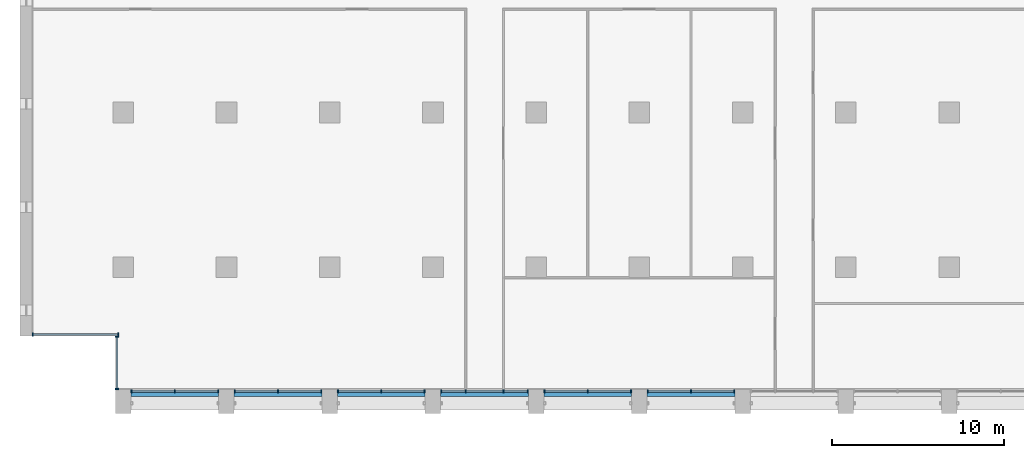
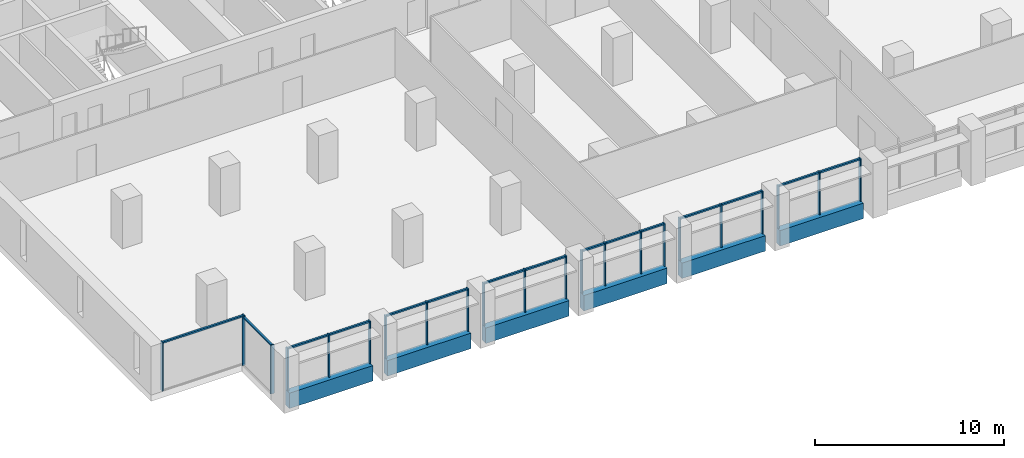
# One storey, part 2 of 15: 38 members, 6 beams, 8 elements without a shape of their own.
"""IFC4 building model written with IfcOpenShell, lengths in metres."""

from ifc_helpers import new_model, si_unit, direction, frame, origin, origin_2d, place, context, subcontext, project, spatial, rectangle, extrude, material, material_profile, profile_set, type_object, element, aggregate, save


model = new_model("IFC4")

# Units and contexts
model_context = context("Model", 3, precision=1e-05, world=origin(), true_north=direction((0.0, 1.0)))
body_context = subcontext(model_context, "Body", "Model", "MODEL_VIEW")
ifc_project = project(units=[si_unit("LENGTHUNIT", "METRE"), si_unit("AREAUNIT", "SQUARE_METRE"), si_unit("VOLUMEUNIT", "CUBIC_METRE"), si_unit("PLANEANGLEUNIT", "RADIAN"), si_unit("MASSUNIT", "GRAM", prefix="KILO")], contexts=[model_context])

# Site, building, storey
site_placement = place(None, origin())
site = spatial("IfcSite", under=ifc_project, at=site_placement, CompositionType="ELEMENT")
building_placement = place(site_placement, origin())
building = spatial("IfcBuilding", under=site, at=building_placement, Name="Calvaro Tower", CompositionType="ELEMENT")
storey_placement = place(building_placement, frame((0.0, 0.0, 155.0)))
storey = spatial("IfcBuildingStorey", under=building, at=storey_placement, Name="L39", CompositionType="ELEMENT", Elevation=155.0)

# Curtain wall, members
ifc_material_1 = material(Name="Anodised aluminium", Category="aluminium")
curtain_wall_type = type_object("IfcCurtainWallType", Name="Office curtain wall, middle zone", PredefinedType="NOTDEFINED", material=ifc_material_1)
curtain_wall_1_placement = place(storey_placement, origin())
curtain_wall_1 = element("IfcCurtainWall", 1, at=curtain_wall_1_placement, inside=storey, type_object=curtain_wall_type, Name="CW2 south curtain wall", PredefinedType="NOTDEFINED")
ifc_material_2 = material(Name="Anodised aluminium", Category="aluminium")
ifc_material_profile_1 = material_profile(ifc_material_2, rectangle(XDim=0.199951171875, YDim=0.070068359375, at=origin_2d()), Name="Mullion S2 70 x 200")
ifc_profile_set_1 = profile_set([ifc_material_profile_1], Name="Anodised aluminium")
member_type_1 = type_object("IfcMemberType", Name="Mullion S2 70 x 200", PredefinedType="MULLION", material=ifc_profile_set_1)
member_1_placement = place(storey_placement, frame((6.485107421875, 2.800048828125, 0.0), z_axis=(0.0, 0.0, 1.0), x_axis=(0.0, 1.0, 0.0)))
member_1 = element("IfcMember", 2, at=member_1_placement, type_object=member_type_1, Name="CW2 mullion 1", PredefinedType="MULLION", context=body_context, shape_type="SweptSolid", body=[
    extrude(rectangle(XDim=0.199951171875, YDim=0.070068359375, at=origin_2d()), origin(), (0.0, 0.0, 1.0), 2.75),
])
member_2_placement = place(storey_placement, frame((9.0, 2.800048828125, 0.0), z_axis=(0.0, 0.0, 1.0), x_axis=(0.0, 1.0, 0.0)))
member_2 = element("IfcMember", 3, at=member_2_placement, type_object=member_type_1, Name="CW2 mullion 2", PredefinedType="MULLION", context=body_context, shape_type="SweptSolid", body=[
    extrude(rectangle(XDim=0.199951171875, YDim=0.070068359375, at=origin_2d()), origin(), (0.0, 0.0, 1.0), 2.75),
])
member_3_placement = place(storey_placement, frame((11.514892578125, 2.800048828125, 0.0), z_axis=(0.0, 0.0, 1.0), x_axis=(0.0, 1.0, 0.0)))
member_3 = element("IfcMember", 4, at=member_3_placement, type_object=member_type_1, Name="CW2 mullion 3", PredefinedType="MULLION", context=body_context, shape_type="SweptSolid", body=[
    extrude(rectangle(XDim=0.199951171875, YDim=0.070068359375, at=origin_2d()), origin(), (0.0, 0.0, 1.0), 2.75),
])

curtain_wall_2_placement = place(storey_placement, origin())
curtain_wall_2 = element("IfcCurtainWall", 5, at=curtain_wall_2_placement, inside=storey, type_object=curtain_wall_type, Name="CW2 south curtain wall", PredefinedType="NOTDEFINED")
member_4_placement = place(storey_placement, frame((12.485107421875, 2.800048828125, 0.0), z_axis=(0.0, 0.0, 1.0), x_axis=(0.0, 1.0, 0.0)))
member_4 = element("IfcMember", 6, at=member_4_placement, type_object=member_type_1, Name="CW2 mullion 1", PredefinedType="MULLION", context=body_context, shape_type="SweptSolid", body=[
    extrude(rectangle(XDim=0.199951171875, YDim=0.070068359375, at=origin_2d()), origin(), (0.0, 0.0, 1.0), 2.75),
])
member_5_placement = place(storey_placement, frame((15.0, 2.800048828125, 0.0), z_axis=(0.0, 0.0, 1.0), x_axis=(0.0, 1.0, 0.0)))
member_5 = element("IfcMember", 7, at=member_5_placement, type_object=member_type_1, Name="CW2 mullion 2", PredefinedType="MULLION", context=body_context, shape_type="SweptSolid", body=[
    extrude(rectangle(XDim=0.199951171875, YDim=0.070068359375, at=origin_2d()), origin(), (0.0, 0.0, 1.0), 2.75),
])
member_6_placement = place(storey_placement, frame((17.514892578125, 2.800048828125, 0.0), z_axis=(0.0, 0.0, 1.0), x_axis=(0.0, 1.0, 0.0)))
member_6 = element("IfcMember", 8, at=member_6_placement, type_object=member_type_1, Name="CW2 mullion 3", PredefinedType="MULLION", context=body_context, shape_type="SweptSolid", body=[
    extrude(rectangle(XDim=0.199951171875, YDim=0.070068359375, at=origin_2d()), origin(), (0.0, 0.0, 1.0), 2.75),
])

curtain_wall_3_placement = place(storey_placement, origin())
curtain_wall_3 = element("IfcCurtainWall", 9, at=curtain_wall_3_placement, inside=storey, type_object=curtain_wall_type, Name="CW2 south curtain wall", PredefinedType="NOTDEFINED")
member_7_placement = place(storey_placement, frame((18.485107421875, 2.800048828125, 0.0), z_axis=(0.0, 0.0, 1.0), x_axis=(0.0, 1.0, 0.0)))
member_7 = element("IfcMember", 10, at=member_7_placement, type_object=member_type_1, Name="CW2 mullion 1", PredefinedType="MULLION", context=body_context, shape_type="SweptSolid", body=[
    extrude(rectangle(XDim=0.199951171875, YDim=0.070068359375, at=origin_2d()), origin(), (0.0, 0.0, 1.0), 2.75),
])
member_8_placement = place(storey_placement, frame((21.0, 2.800048828125, 0.0), z_axis=(0.0, 0.0, 1.0), x_axis=(0.0, 1.0, 0.0)))
member_8 = element("IfcMember", 11, at=member_8_placement, type_object=member_type_1, Name="CW2 mullion 2", PredefinedType="MULLION", context=body_context, shape_type="SweptSolid", body=[
    extrude(rectangle(XDim=0.199951171875, YDim=0.070068359375, at=origin_2d()), origin(), (0.0, 0.0, 1.0), 2.75),
])
member_9_placement = place(storey_placement, frame((23.514892578125, 2.800048828125, 0.0), z_axis=(0.0, 0.0, 1.0), x_axis=(0.0, 1.0, 0.0)))
member_9 = element("IfcMember", 12, at=member_9_placement, type_object=member_type_1, Name="CW2 mullion 3", PredefinedType="MULLION", context=body_context, shape_type="SweptSolid", body=[
    extrude(rectangle(XDim=0.199951171875, YDim=0.070068359375, at=origin_2d()), origin(), (0.0, 0.0, 1.0), 2.75),
])

curtain_wall_4_placement = place(storey_placement, origin())
curtain_wall_4 = element("IfcCurtainWall", 13, at=curtain_wall_4_placement, inside=storey, type_object=curtain_wall_type, Name="CW2 south curtain wall", PredefinedType="NOTDEFINED")
member_10_placement = place(storey_placement, frame((24.485107421875, 2.800048828125, 0.0), z_axis=(0.0, 0.0, 1.0), x_axis=(0.0, 1.0, 0.0)))
member_10 = element("IfcMember", 14, at=member_10_placement, type_object=member_type_1, Name="CW2 mullion 1", PredefinedType="MULLION", context=body_context, shape_type="SweptSolid", body=[
    extrude(rectangle(XDim=0.199951171875, YDim=0.070068359375, at=origin_2d()), origin(), (0.0, 0.0, 1.0), 2.75),
])
member_11_placement = place(storey_placement, frame((25.89990234375, 2.800048828125, 0.0), z_axis=(0.0, 0.0, 1.0), x_axis=(0.0, 1.0, 0.0)))
member_11 = element("IfcMember", 15, at=member_11_placement, type_object=member_type_1, Name="CW2 mullion 2", PredefinedType="MULLION", context=body_context, shape_type="SweptSolid", body=[
    extrude(rectangle(XDim=0.199951171875, YDim=0.070068359375, at=origin_2d()), origin(), (0.0, 0.0, 1.0), 2.75),
])
member_12_placement = place(storey_placement, frame((28.10009765625, 2.800048828125, 0.0), z_axis=(0.0, 0.0, 1.0), x_axis=(0.0, 1.0, 0.0)))
member_12 = element("IfcMember", 16, at=member_12_placement, type_object=member_type_1, Name="CW2 mullion 3", PredefinedType="MULLION", context=body_context, shape_type="SweptSolid", body=[
    extrude(rectangle(XDim=0.199951171875, YDim=0.070068359375, at=origin_2d()), origin(), (0.0, 0.0, 1.0), 2.75),
])
member_13_placement = place(storey_placement, frame((29.514892578125, 2.800048828125, 0.0), z_axis=(0.0, 0.0, 1.0), x_axis=(0.0, 1.0, 0.0)))
member_13 = element("IfcMember", 17, at=member_13_placement, type_object=member_type_1, Name="CW2 mullion 4", PredefinedType="MULLION", context=body_context, shape_type="SweptSolid", body=[
    extrude(rectangle(XDim=0.199951171875, YDim=0.070068359375, at=origin_2d()), origin(), (0.0, 0.0, 1.0), 2.75),
])

curtain_wall_5_placement = place(storey_placement, origin())
curtain_wall_5 = element("IfcCurtainWall", 18, at=curtain_wall_5_placement, inside=storey, type_object=curtain_wall_type, Name="CW2 south curtain wall", PredefinedType="NOTDEFINED")
member_14_placement = place(storey_placement, frame((30.485107421875, 2.800048828125, 0.0), z_axis=(0.0, 0.0, 1.0), x_axis=(0.0, 1.0, 0.0)))
member_14 = element("IfcMember", 19, at=member_14_placement, type_object=member_type_1, Name="CW2 mullion 1", PredefinedType="MULLION", context=body_context, shape_type="SweptSolid", body=[
    extrude(rectangle(XDim=0.199951171875, YDim=0.070068359375, at=origin_2d()), origin(), (0.0, 0.0, 1.0), 2.75),
])
member_15_placement = place(storey_placement, frame((33.0, 2.800048828125, 0.0), z_axis=(0.0, 0.0, 1.0), x_axis=(0.0, 1.0, 0.0)))
member_15 = element("IfcMember", 20, at=member_15_placement, type_object=member_type_1, Name="CW2 mullion 2", PredefinedType="MULLION", context=body_context, shape_type="SweptSolid", body=[
    extrude(rectangle(XDim=0.199951171875, YDim=0.070068359375, at=origin_2d()), origin(), (0.0, 0.0, 1.0), 2.75),
])
member_16_placement = place(storey_placement, frame((35.514892578125, 2.800048828125, 0.0), z_axis=(0.0, 0.0, 1.0), x_axis=(0.0, 1.0, 0.0)))
member_16 = element("IfcMember", 21, at=member_16_placement, type_object=member_type_1, Name="CW2 mullion 3", PredefinedType="MULLION", context=body_context, shape_type="SweptSolid", body=[
    extrude(rectangle(XDim=0.199951171875, YDim=0.070068359375, at=origin_2d()), origin(), (0.0, 0.0, 1.0), 2.75),
])

curtain_wall_6_placement = place(storey_placement, origin())
curtain_wall_6 = element("IfcCurtainWall", 22, at=curtain_wall_6_placement, inside=storey, type_object=curtain_wall_type, Name="CW2 south curtain wall", PredefinedType="NOTDEFINED")
member_17_placement = place(storey_placement, frame((36.485107421875, 2.800048828125, 0.0), z_axis=(0.0, 0.0, 1.0), x_axis=(0.0, 1.0, 0.0)))
member_17 = element("IfcMember", 23, at=member_17_placement, type_object=member_type_1, Name="CW2 mullion 1", PredefinedType="MULLION", context=body_context, shape_type="SweptSolid", body=[
    extrude(rectangle(XDim=0.199951171875, YDim=0.070068359375, at=origin_2d()), origin(), (0.0, 0.0, 1.0), 2.75),
])
member_18_placement = place(storey_placement, frame((39.0, 2.800048828125, 0.0), z_axis=(0.0, 0.0, 1.0), x_axis=(0.0, 1.0, 0.0)))
member_18 = element("IfcMember", 24, at=member_18_placement, type_object=member_type_1, Name="CW2 mullion 2", PredefinedType="MULLION", context=body_context, shape_type="SweptSolid", body=[
    extrude(rectangle(XDim=0.199951171875, YDim=0.070068359375, at=origin_2d()), origin(), (0.0, 0.0, 1.0), 2.75),
])
member_19_placement = place(storey_placement, frame((41.514892578125, 2.800048828125, 0.0), z_axis=(0.0, 0.0, 1.0), x_axis=(0.0, 1.0, 0.0)))
member_19 = element("IfcMember", 25, at=member_19_placement, type_object=member_type_1, Name="CW2 mullion 3", PredefinedType="MULLION", context=body_context, shape_type="SweptSolid", body=[
    extrude(rectangle(XDim=0.199951171875, YDim=0.070068359375, at=origin_2d()), origin(), (0.0, 0.0, 1.0), 2.75),
])

curtain_wall_7_placement = place(storey_placement, origin())
curtain_wall_7 = element("IfcCurtainWall", 26, at=curtain_wall_7_placement, inside=storey, type_object=curtain_wall_type, Name="CW2 corner curtain wall", PredefinedType="NOTDEFINED")
member_20_placement = place(storey_placement, frame((5.64990234375, 2.93505859375, 0.0), z_axis=(0.0, 0.0, 1.0), x_axis=(-1.0, 0.0, 0.0)))
member_20 = element("IfcMember", 27, at=member_20_placement, type_object=member_type_1, Name="CW2 mullion 1", PredefinedType="MULLION", context=body_context, shape_type="SweptSolid", body=[
    extrude(rectangle(XDim=0.199951171875, YDim=0.070068359375, at=origin_2d()), origin(), (0.0, 0.0, 1.0), 3.14990234375),
])
member_21_placement = place(storey_placement, frame((5.64990234375, 5.965087890625, 0.0), z_axis=(0.0, 0.0, 1.0), x_axis=(-1.0, 0.0, 0.0)))
member_21 = element("IfcMember", 28, at=member_21_placement, type_object=member_type_1, Name="CW2 mullion 2", PredefinedType="MULLION", context=body_context, shape_type="SweptSolid", body=[
    extrude(rectangle(XDim=0.199951171875, YDim=0.070068359375, at=origin_2d()), origin(), (0.0, 0.0, 1.0), 3.14990234375),
])

curtain_wall_8_placement = place(storey_placement, origin())
curtain_wall_8 = element("IfcCurtainWall", 29, at=curtain_wall_8_placement, inside=storey, type_object=curtain_wall_type, Name="CW2 corner curtain wall", PredefinedType="NOTDEFINED")
member_22_placement = place(storey_placement, frame((0.735107421875, 6.10009765625, 0.0), z_axis=(0.0, 0.0, 1.0), x_axis=(0.0, 1.0, 0.0)))
member_22 = element("IfcMember", 30, at=member_22_placement, type_object=member_type_1, Name="CW2 mullion 1", PredefinedType="MULLION", context=body_context, shape_type="SweptSolid", body=[
    extrude(rectangle(XDim=0.199951171875, YDim=0.070068359375, at=origin_2d()), origin(), (0.0, 0.0, 1.0), 3.14990234375),
])
member_23_placement = place(storey_placement, frame((5.715087890625, 6.10009765625, 0.0), z_axis=(0.0, 0.0, 1.0), x_axis=(0.0, 1.0, 0.0)))
member_23 = element("IfcMember", 31, at=member_23_placement, type_object=member_type_1, Name="CW2 mullion 2", PredefinedType="MULLION", context=body_context, shape_type="SweptSolid", body=[
    extrude(rectangle(XDim=0.199951171875, YDim=0.070068359375, at=origin_2d()), origin(), (0.0, 0.0, 1.0), 3.14990234375),
])

# Beams
ifc_material_3 = material(Name="Concrete C50/60 precast", Category="concrete")
ifc_material_profile_2 = material_profile(ifc_material_3, rectangle(XDim=0.39990234375, YDim=1.0, at=origin_2d()), Name="RC 400x1000")
ifc_profile_set_2 = profile_set([ifc_material_profile_2], Name="Concrete C50/60 precast")
beam_type = type_object("IfcBeamType", Name="Spandrel beam 400x1000 C50/60", PredefinedType="SPANDREL", material=ifc_profile_set_2)
for number, where, z_axis, x_axis, name in (
    (32, (6.449951171875, 2.699951171875, -0.5), (1.0, 0.0, 0.0), (0.0, 1.0, 0.0), "Spandrel beam"),
    (33, (12.449951171875, 2.699951171875, -0.5), (1.0, 0.0, 0.0), (0.0, 1.0, 0.0), "Spandrel beam"),
    (34, (18.449951171875, 2.699951171875, -0.5), (1.0, 0.0, 0.0), (0.0, 1.0, 0.0), "Spandrel beam"),
    (35, (24.449951171875, 2.699951171875, -0.5), (1.0, 0.0, 0.0), (0.0, 1.0, 0.0), "Spandrel beam"),
    (36, (30.449951171875, 2.699951171875, -0.5), (1.0, 0.0, 0.0), (0.0, 1.0, 0.0), "Spandrel beam"),
    (37, (36.449951171875, 2.699951171875, -0.5), (1.0, 0.0, 0.0), (0.0, 1.0, 0.0), "Spandrel beam"),
):
    element("IfcBeam", number, at=place(storey_placement, frame(where, z_axis=z_axis, x_axis=x_axis)), inside=storey, type_object=beam_type, Name=name, PredefinedType="SPANDREL", context=body_context, shape_type="SweptSolid", body=[
        extrude(rectangle(XDim=0.39990234375, YDim=1.0, at=origin_2d()), origin(), (0.0, 0.0, 1.0), 5.10009765625),
    ])

# Member
ifc_material_4 = material(Name="Anodised aluminium", Category="aluminium")
ifc_material_profile_3 = material_profile(ifc_material_4, rectangle(XDim=0.1201171875, YDim=0.10009765625, at=origin_2d()), Name="Transom S2 100 x 120")
ifc_profile_set_3 = profile_set([ifc_material_profile_3], Name="Anodised aluminium")
member_type_2 = type_object("IfcMemberType", Name="Transom S2 100 x 120", PredefinedType="USERDEFINED", material=ifc_profile_set_3)
member_24_placement = place(storey_placement, frame((6.52001953125, 2.800048828125, 2.699951171875), z_axis=(1.0, 0.0, 0.0), x_axis=(0.0, 1.0, 0.0)))
member_24 = element("IfcMember", 38, at=member_24_placement, type_object=member_type_2, Name="CW2 transom 1.1", ObjectType="TRANSOM", PredefinedType="USERDEFINED", context=body_context, shape_type="SweptSolid", body=[
    extrude(rectangle(XDim=0.1201171875, YDim=0.10009765625, at=origin_2d()), origin(), (0.0, 0.0, 1.0), 2.445068359375),
])

member_25_placement = place(storey_placement, frame((9.034912109375, 2.800048828125, 2.699951171875), z_axis=(1.0, 0.0, 0.0), x_axis=(0.0, 1.0, 0.0)))
member_25 = element("IfcMember", 39, at=member_25_placement, type_object=member_type_2, Name="CW2 transom 2.1", ObjectType="TRANSOM", PredefinedType="USERDEFINED", context=body_context, shape_type="SweptSolid", body=[
    extrude(rectangle(XDim=0.1201171875, YDim=0.10009765625, at=origin_2d()), origin(), (0.0, 0.0, 1.0), 2.445068359375),
])

aggregate(curtain_wall_1, [member_1, member_2, member_3, member_24, member_25])

member_26_placement = place(storey_placement, frame((12.52001953125, 2.800048828125, 2.699951171875), z_axis=(1.0, 0.0, 0.0), x_axis=(0.0, 1.0, 0.0)))
member_26 = element("IfcMember", 40, at=member_26_placement, type_object=member_type_2, Name="CW2 transom 1.1", ObjectType="TRANSOM", PredefinedType="USERDEFINED", context=body_context, shape_type="SweptSolid", body=[
    extrude(rectangle(XDim=0.1201171875, YDim=0.10009765625, at=origin_2d()), origin(), (0.0, 0.0, 1.0), 2.445068359375),
])

member_27_placement = place(storey_placement, frame((15.034912109375, 2.800048828125, 2.699951171875), z_axis=(1.0, 0.0, 0.0), x_axis=(0.0, 1.0, 0.0)))
member_27 = element("IfcMember", 41, at=member_27_placement, type_object=member_type_2, Name="CW2 transom 2.1", ObjectType="TRANSOM", PredefinedType="USERDEFINED", context=body_context, shape_type="SweptSolid", body=[
    extrude(rectangle(XDim=0.1201171875, YDim=0.10009765625, at=origin_2d()), origin(), (0.0, 0.0, 1.0), 2.445068359375),
])

aggregate(curtain_wall_2, [member_4, member_5, member_6, member_26, member_27])

member_28_placement = place(storey_placement, frame((18.52001953125, 2.800048828125, 2.699951171875), z_axis=(1.0, 0.0, 0.0), x_axis=(0.0, 1.0, 0.0)))
member_28 = element("IfcMember", 42, at=member_28_placement, type_object=member_type_2, Name="CW2 transom 1.1", ObjectType="TRANSOM", PredefinedType="USERDEFINED", context=body_context, shape_type="SweptSolid", body=[
    extrude(rectangle(XDim=0.1201171875, YDim=0.10009765625, at=origin_2d()), origin(), (0.0, 0.0, 1.0), 2.445068359375),
])

member_29_placement = place(storey_placement, frame((21.034912109375, 2.800048828125, 2.699951171875), z_axis=(1.0, 0.0, 0.0), x_axis=(0.0, 1.0, 0.0)))
member_29 = element("IfcMember", 43, at=member_29_placement, type_object=member_type_2, Name="CW2 transom 2.1", ObjectType="TRANSOM", PredefinedType="USERDEFINED", context=body_context, shape_type="SweptSolid", body=[
    extrude(rectangle(XDim=0.1201171875, YDim=0.10009765625, at=origin_2d()), origin(), (0.0, 0.0, 1.0), 2.445068359375),
])

aggregate(curtain_wall_3, [member_7, member_8, member_9, member_28, member_29])

member_30_placement = place(storey_placement, frame((24.52001953125, 2.800048828125, 2.699951171875), z_axis=(1.0, 0.0, 0.0), x_axis=(0.0, 1.0, 0.0)))
member_30 = element("IfcMember", 44, at=member_30_placement, type_object=member_type_2, Name="CW2 transom 1.1", ObjectType="TRANSOM", PredefinedType="USERDEFINED", context=body_context, shape_type="SweptSolid", body=[
    extrude(rectangle(XDim=0.1201171875, YDim=0.10009765625, at=origin_2d()), origin(), (0.0, 0.0, 1.0), 1.344970703125),
])

member_31_placement = place(storey_placement, frame((25.93505859375, 2.800048828125, 2.699951171875), z_axis=(1.0, 0.0, 0.0), x_axis=(0.0, 1.0, 0.0)))
member_31 = element("IfcMember", 45, at=member_31_placement, type_object=member_type_2, Name="CW2 transom 2.1", ObjectType="TRANSOM", PredefinedType="USERDEFINED", context=body_context, shape_type="SweptSolid", body=[
    extrude(rectangle(XDim=0.1201171875, YDim=0.10009765625, at=origin_2d()), origin(), (0.0, 0.0, 1.0), 2.1298828125),
])

member_32_placement = place(storey_placement, frame((28.135009765625, 2.800048828125, 2.699951171875), z_axis=(1.0, 0.0, 0.0), x_axis=(0.0, 1.0, 0.0)))
member_32 = element("IfcMember", 46, at=member_32_placement, type_object=member_type_2, Name="CW2 transom 3.1", ObjectType="TRANSOM", PredefinedType="USERDEFINED", context=body_context, shape_type="SweptSolid", body=[
    extrude(rectangle(XDim=0.1201171875, YDim=0.10009765625, at=origin_2d()), origin(), (0.0, 0.0, 1.0), 1.344970703125),
])

aggregate(curtain_wall_4, [member_10, member_11, member_12, member_13, member_30, member_31, member_32])

member_33_placement = place(storey_placement, frame((30.52001953125, 2.800048828125, 2.699951171875), z_axis=(1.0, 0.0, 0.0), x_axis=(0.0, 1.0, 0.0)))
member_33 = element("IfcMember", 47, at=member_33_placement, type_object=member_type_2, Name="CW2 transom 1.1", ObjectType="TRANSOM", PredefinedType="USERDEFINED", context=body_context, shape_type="SweptSolid", body=[
    extrude(rectangle(XDim=0.1201171875, YDim=0.10009765625, at=origin_2d()), origin(), (0.0, 0.0, 1.0), 2.445068359375),
])

member_34_placement = place(storey_placement, frame((33.034912109375, 2.800048828125, 2.699951171875), z_axis=(1.0, 0.0, 0.0), x_axis=(0.0, 1.0, 0.0)))
member_34 = element("IfcMember", 48, at=member_34_placement, type_object=member_type_2, Name="CW2 transom 2.1", ObjectType="TRANSOM", PredefinedType="USERDEFINED", context=body_context, shape_type="SweptSolid", body=[
    extrude(rectangle(XDim=0.1201171875, YDim=0.10009765625, at=origin_2d()), origin(), (0.0, 0.0, 1.0), 2.445068359375),
])

aggregate(curtain_wall_5, [member_14, member_15, member_16, member_33, member_34])

member_35_placement = place(storey_placement, frame((36.52001953125, 2.800048828125, 2.699951171875), z_axis=(1.0, 0.0, 0.0), x_axis=(0.0, 1.0, 0.0)))
member_35 = element("IfcMember", 49, at=member_35_placement, type_object=member_type_2, Name="CW2 transom 1.1", ObjectType="TRANSOM", PredefinedType="USERDEFINED", context=body_context, shape_type="SweptSolid", body=[
    extrude(rectangle(XDim=0.1201171875, YDim=0.10009765625, at=origin_2d()), origin(), (0.0, 0.0, 1.0), 2.445068359375),
])

member_36_placement = place(storey_placement, frame((39.034912109375, 2.800048828125, 2.699951171875), z_axis=(1.0, 0.0, 0.0), x_axis=(0.0, 1.0, 0.0)))
member_36 = element("IfcMember", 50, at=member_36_placement, type_object=member_type_2, Name="CW2 transom 2.1", ObjectType="TRANSOM", PredefinedType="USERDEFINED", context=body_context, shape_type="SweptSolid", body=[
    extrude(rectangle(XDim=0.1201171875, YDim=0.10009765625, at=origin_2d()), origin(), (0.0, 0.0, 1.0), 2.445068359375),
])

aggregate(curtain_wall_6, [member_17, member_18, member_19, member_35, member_36])

member_37_placement = place(storey_placement, frame((5.64990234375, 2.969970703125, 3.10009765625), z_axis=(0.0, 1.0, 0.0), x_axis=(-1.0, 0.0, 0.0)))
member_37 = element("IfcMember", 51, at=member_37_placement, type_object=member_type_2, Name="CW2 transom 1.1", ObjectType="TRANSOM", PredefinedType="USERDEFINED", context=body_context, shape_type="SweptSolid", body=[
    extrude(rectangle(XDim=0.1201171875, YDim=0.10009765625, at=origin_2d()), origin(), (0.0, 0.0, 1.0), 2.9599609375),
])

aggregate(curtain_wall_7, [member_20, member_21, member_37])

member_38_placement = place(storey_placement, frame((0.77001953125, 6.10009765625, 3.10009765625), z_axis=(1.0, 0.0, 0.0), x_axis=(0.0, 1.0, 0.0)))
member_38 = element("IfcMember", 52, at=member_38_placement, type_object=member_type_2, Name="CW2 transom 1.1", ObjectType="TRANSOM", PredefinedType="USERDEFINED", context=body_context, shape_type="SweptSolid", body=[
    extrude(rectangle(XDim=0.1201171875, YDim=0.10009765625, at=origin_2d()), origin(), (0.0, 0.0, 1.0), 4.909912109375),
])

aggregate(curtain_wall_8, [member_22, member_23, member_38])

save(model, "model.ifc")
